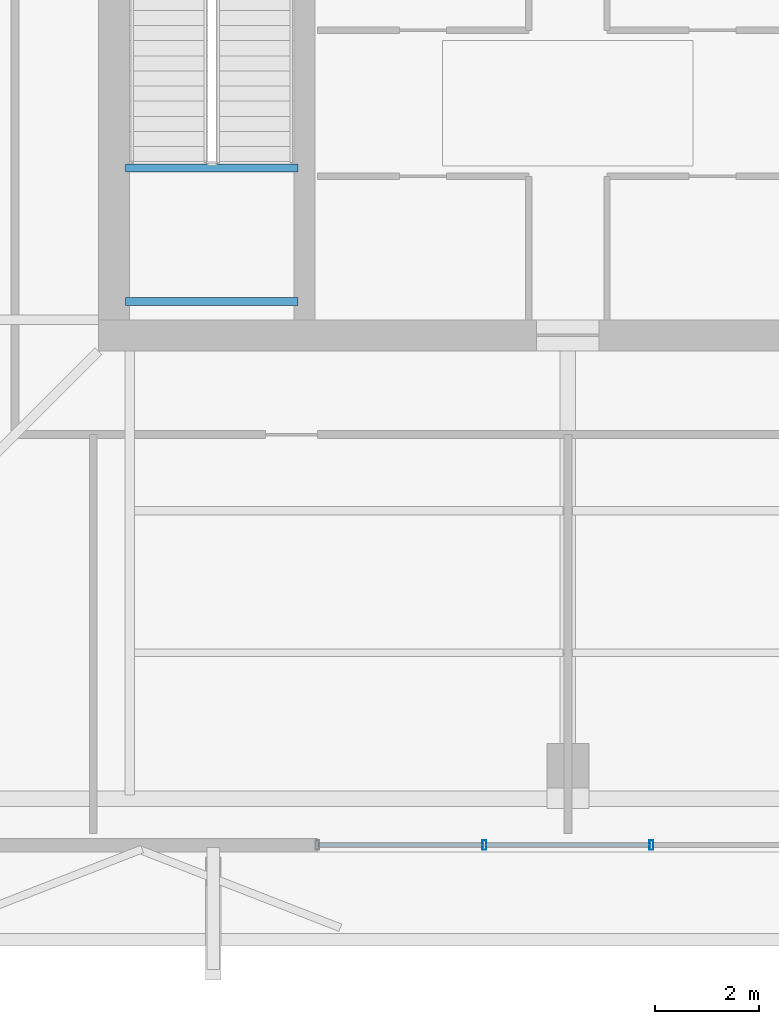
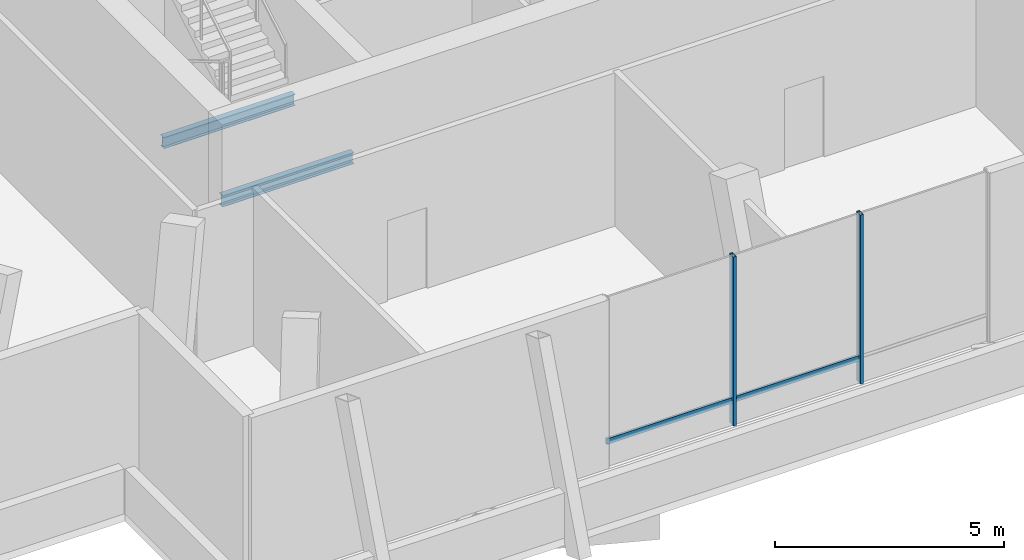
# One storey, part 4 of 18: 4 members, 2 beams, 1 element without a shape of its own.
"""IFC4 building model written with IfcOpenShell, lengths in metres."""

from ifc_helpers import new_model, si_unit, direction, frame, origin, origin_2d, place, context, subcontext, project, spatial, hollow_rectangle, i_section, extrude, material, layer, layer_set, material_profile, profile_set, type_object, element, aggregate, save


model = new_model("IFC4")

# Units and contexts
model_context = context("Model", 3, precision=1e-05, world=origin(), true_north=direction((0.0, 1.0)))
body_context = subcontext(model_context, "Body", "Model", "MODEL_VIEW")
ifc_project = project(units=[si_unit("LENGTHUNIT", "METRE"), si_unit("AREAUNIT", "SQUARE_METRE"), si_unit("VOLUMEUNIT", "CUBIC_METRE"), si_unit("PLANEANGLEUNIT", "RADIAN"), si_unit("MASSUNIT", "GRAM", prefix="KILO")], contexts=[model_context])

# Site, building, storey
site_placement = place(None, origin())
site = spatial("IfcSite", under=ifc_project, at=site_placement, CompositionType="ELEMENT")
building_placement = place(site_placement, origin())
building = spatial("IfcBuilding", under=site, at=building_placement, Name="Belovzor Exchange Tower", CompositionType="ELEMENT")
storey_placement = place(building_placement, frame((0.0, 0.0, 369.0)))
storey = spatial("IfcBuildingStorey", under=building, at=storey_placement, Name="L92", CompositionType="ELEMENT", Elevation=369.0)

# Beams
ifc_material_1 = material(Name="Steel S355", Category="steel")
ifc_material_profile_1 = material_profile(ifc_material_1, i_section(OverallWidth=0.14990234375, OverallDepth=0.300048828125, WebThickness=0.007080078125, FlangeThickness=0.0107421875, at=origin_2d()))
ifc_profile_set_1 = profile_set([ifc_material_profile_1], Name="Steel S355")
beam_type = type_object("IfcBeamType", Name="Secondary Trim Floor Joist IPE 300", PredefinedType="BEAM", material=ifc_profile_set_1)
for number, where, z_axis, x_axis, name in (
    (1, (20.320068359375, 23.31005859375, 2.050048828125), (1.0, 0.0, 0.0), (0.0, 1.0, 0.0), "FJ-300 Secondary Trim Floor Joist IPE 300"),
    (2, (20.320068359375, 20.75, 2.050048828125), (1.0, 0.0, 0.0), (0.0, 1.0, 0.0), "FJ-300 Secondary Trim Floor Joist IPE 300"),
):
    element("IfcBeam", number, at=place(storey_placement, frame(where, z_axis=z_axis, x_axis=x_axis)), inside=storey, type_object=beam_type, Name=name, PredefinedType="BEAM", context=body_context, shape_type="SweptSolid", body=[
        extrude(i_section(OverallWidth=0.14990234375, OverallDepth=0.300048828125, WebThickness=0.007080078125, FlangeThickness=0.0107421875, at=origin_2d()), origin(), (0.0, 0.0, 1.0), 3.309814453125),
    ])

# Curtain wall, members
ifc_material_2 = material(Name="Anodised Aluminium Framing", Category="aluminium")
ifc_layer = layer(ifc_material_2, 0.169921875)
ifc_layer_set = layer_set([ifc_layer], Name="Anodised Aluminium Framing")
curtain_wall_type = type_object("IfcCurtainWallType", Name="Stepped Crown Faceted Lantern Curtain Wall", PredefinedType="NOTDEFINED", material=ifc_layer_set)
curtain_wall_placement = place(storey_placement, origin())
curtain_wall = element("IfcCurtainWall", 3, at=curtain_wall_placement, inside=storey, type_object=curtain_wall_type, Name="CW6 Stepped Crown Faceted Lantern Curtain Wall L92", PredefinedType="NOTDEFINED")
ifc_material_3 = material(Name="Steel S355", Category="steel")
ifc_material_profile_2 = material_profile(ifc_material_3, hollow_rectangle(XDim=0.074951171875, YDim=0.179931640625, WallThickness=0.0048828125, at=origin_2d()))
ifc_profile_set_2 = profile_set([ifc_material_profile_2], Name="Steel S355")
member_type_1 = type_object("IfcMemberType", Name="Thermally Broken Curtain Wall Mullion 180x75", PredefinedType="MULLION", material=ifc_profile_set_2)
member_1_placement = place(storey_placement, frame((30.39990234375, 10.330078125, 0.0), z_axis=(0.0, 0.0, 1.0), x_axis=(-1.0, 0.0, 0.0)))
member_1 = element("IfcMember", 4, at=member_1_placement, type_object=member_type_1, Name="CW-M180 Curtain Wall Mullion 2", PredefinedType="MULLION", context=body_context, shape_type="SweptSolid", body=[
    extrude(hollow_rectangle(XDim=0.074951171875, YDim=0.179931640625, WallThickness=0.0048828125, at=origin_2d()), origin(), (0.0, 0.0, 1.0), 4.5),
])
member_2_placement = place(storey_placement, frame((27.199951171875, 10.330078125, 0.0), z_axis=(0.0, 0.0, 1.0), x_axis=(-1.0, 0.0, 0.0)))
member_2 = element("IfcMember", 5, at=member_2_placement, type_object=member_type_1, Name="CW-M180 Curtain Wall Mullion 3", PredefinedType="MULLION", context=body_context, shape_type="SweptSolid", body=[
    extrude(hollow_rectangle(XDim=0.074951171875, YDim=0.179931640625, WallThickness=0.0048828125, at=origin_2d()), origin(), (0.0, 0.0, 1.0), 4.5),
])
ifc_material_4 = material(Name="Steel S355", Category="steel")
ifc_material_profile_3 = material_profile(ifc_material_4, hollow_rectangle(XDim=0.06005859375, YDim=0.14990234375, WallThickness=0.00390625, at=origin_2d()))
ifc_profile_set_3 = profile_set([ifc_material_profile_3], Name="Steel S355")
member_type_2 = type_object("IfcMemberType", Name="Thermally Broken Curtain Wall Transom 150x60", PredefinedType="USERDEFINED", material=ifc_profile_set_3)
member_3_placement = place(storey_placement, frame((30.39208984375, 10.330078125, 0.64990234375), z_axis=(-1.0, 0.0, 0.0), x_axis=(0.0, -1.0, 0.0)))
member_3 = element("IfcMember", 6, at=member_3_placement, type_object=member_type_2, Name="CW-T150 Curtain Wall Transom 2", ObjectType="TRANSOM", PredefinedType="USERDEFINED", context=body_context, shape_type="SweptSolid", body=[
    extrude(hollow_rectangle(XDim=0.06005859375, YDim=0.14990234375, WallThickness=0.00390625, at=origin_2d()), origin(), (0.0, 0.0, 1.0), 3.18408203125),
])
member_4_placement = place(storey_placement, frame((27.19189453125, 10.330078125, 0.64990234375), z_axis=(-1.0, 0.0, 0.0), x_axis=(0.0, -1.0, 0.0)))
member_4 = element("IfcMember", 7, at=member_4_placement, type_object=member_type_2, Name="CW-T150 Curtain Wall Transom 3", ObjectType="TRANSOM", PredefinedType="USERDEFINED", context=body_context, shape_type="SweptSolid", body=[
    extrude(hollow_rectangle(XDim=0.06005859375, YDim=0.14990234375, WallThickness=0.00390625, at=origin_2d()), origin(), (0.0, 0.0, 1.0), 3.183837890625),
])
aggregate(curtain_wall, [member_1, member_2, member_3, member_4])

save(model, "model.ifc")
